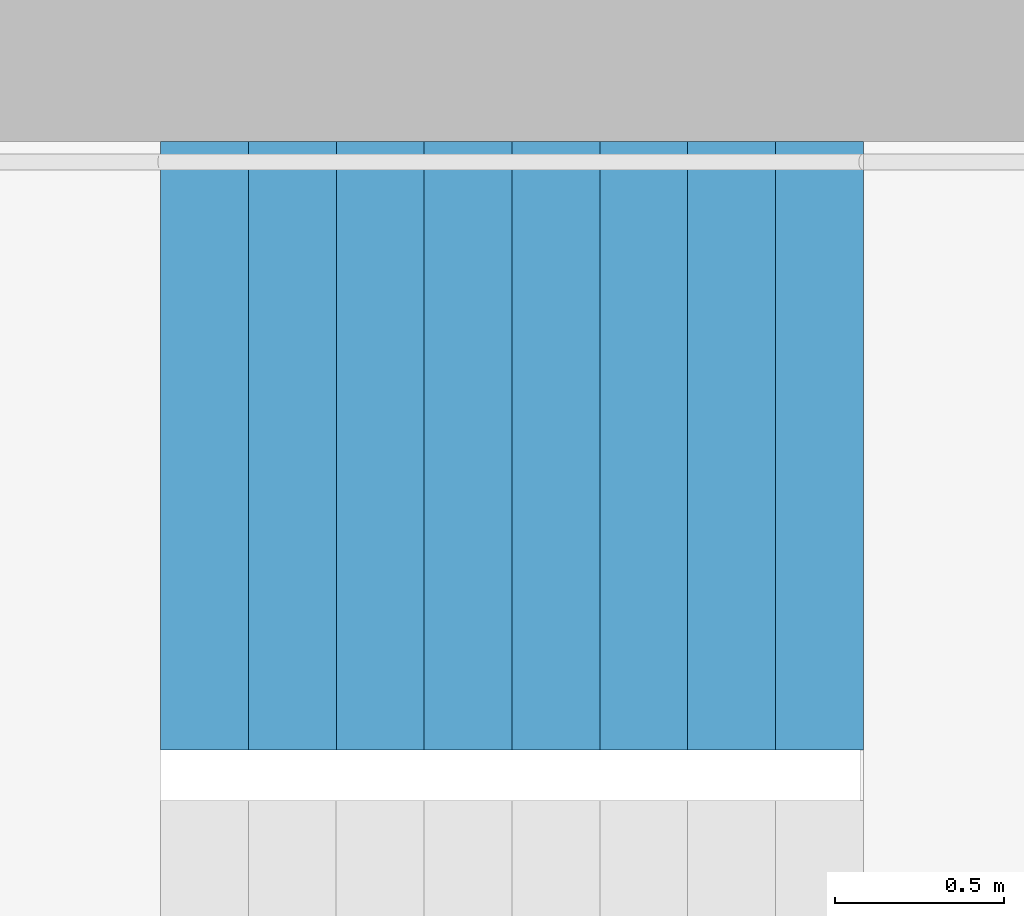
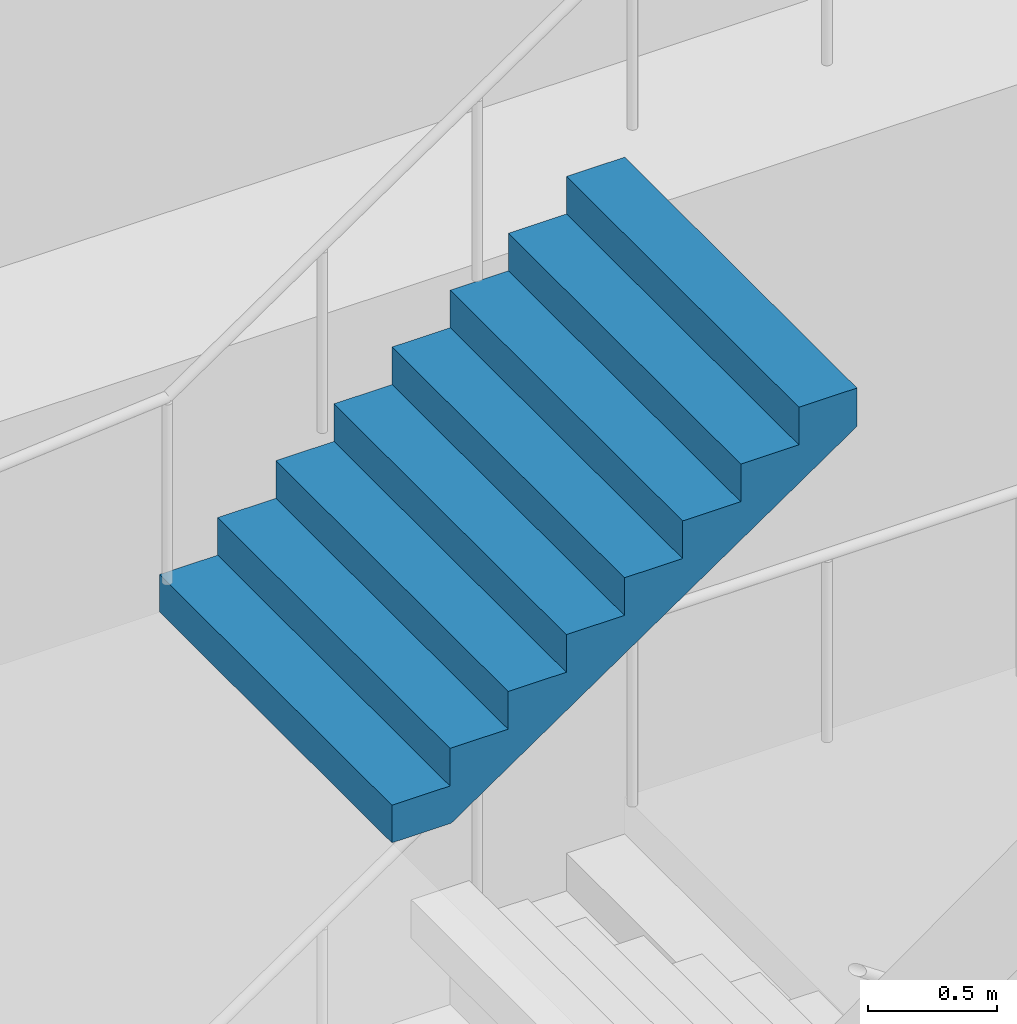
# One storey, part 31 of 42: 1 stair flight, 1 element without a shape of its own.
"""IFC4 building model written with IfcOpenShell, lengths in metres."""

from ifc_helpers import new_model, si_unit, direction, frame, origin, place, context, subcontext, project, spatial, triangles, material, type_object, element, aggregate, save


model = new_model("IFC4")

# Units and contexts
model_context = context("Model", 3, precision=1e-05, world=origin(), true_north=direction((0.0, 1.0)))
body_context = subcontext(model_context, "Body", "Model", "MODEL_VIEW")
ifc_project = project(units=[si_unit("LENGTHUNIT", "METRE"), si_unit("AREAUNIT", "SQUARE_METRE"), si_unit("VOLUMEUNIT", "CUBIC_METRE"), si_unit("PLANEANGLEUNIT", "RADIAN"), si_unit("MASSUNIT", "GRAM", prefix="KILO")], contexts=[model_context])

# Site, building, storey
site_placement = place(None, origin())
site = spatial("IfcSite", under=ifc_project, at=site_placement, CompositionType="ELEMENT")
building_placement = place(site_placement, origin())
building = spatial("IfcBuilding", under=site, at=building_placement, Name="Hakoniwa Tower and Hamabe Station Hall", CompositionType="ELEMENT")
storey_placement = place(building_placement, frame((0.0, 0.0, 232.60009765625)))
storey = spatial("IfcBuildingStorey", under=building, at=storey_placement, Name="L66", CompositionType="ELEMENT", Elevation=232.60009765625)

# Stair, stair flight
ifc_material_1 = material(Name="Concrete C40", Category="concrete")
stair_type = type_object("IfcStairType", Name="ESCAPE STAIR 1800", PredefinedType="HALF_TURN_STAIR", material=ifc_material_1)
stair_placement = place(storey_placement, origin())
stair = element("IfcStair", 1, at=stair_placement, inside=storey, type_object=stair_type, Name="Escape stair ST-3 L66", PredefinedType="HALF_TURN_STAIR")
ifc_material_2 = material(Name="Concrete C40", Category="concrete")
stair_flight_type = type_object("IfcStairFlightType", Name="STAIR FLIGHT 1800", PredefinedType="STRAIGHT", material=ifc_material_2)
stair_flight_placement = place(storey_placement, frame((22.320068359375, 6.60009765625, 4.7998046875), z_axis=(0.0, 0.0, 1.0), x_axis=(1.0, 0.0, 0.0)))
stair_flight = element("IfcStairFlight", 2, at=stair_flight_placement, type_object=stair_flight_type, Name="ST-3 flight 4", NumberOfRisers=9, NumberOfTreads=8, PredefinedType="STRAIGHT", RiserHeight=0.177777778, TreadLength=0.26, context=body_context, shape_type="Tessellation", body=[
    triangles([(0.0, 0.89990234375, 0.0), (0.260009765625, 0.89990234375, 0.0), (0.265625, 0.89990234375, 0.0), (0.52001953125, 0.89990234375, 0.174072265625), (0.780029296875, 0.89990234375, 0.351806640625), (1.0400390625, 0.89990234375, 0.529541015625), (1.300048828125, 0.89990234375, 0.707275390625), (1.56005859375, 0.89990234375, 0.885009765625), (1.820068359375, 0.89990234375, 1.062744140625), (2.080078125, 0.89990234375, 1.24072265625), (2.080078125, 0.89990234375, 1.422119140625), (1.820068359375, 0.89990234375, 1.422119140625), (1.820068359375, 0.89990234375, 1.244384765625), (1.56005859375, 0.89990234375, 1.244384765625), (1.56005859375, 0.89990234375, 1.066650390625), (1.300048828125, 0.89990234375, 1.066650390625), (1.300048828125, 0.89990234375, 0.888916015625), (1.0400390625, 0.89990234375, 0.888916015625), (1.0400390625, 0.89990234375, 0.711181640625), (0.780029296875, 0.89990234375, 0.711181640625), (0.780029296875, 0.89990234375, 0.533447265625), (0.52001953125, 0.89990234375, 0.533447265625), (0.52001953125, 0.89990234375, 0.35546875), (0.265625, 0.89990234375, 0.35546875), (0.260009765625, 0.89990234375, 0.35546875), (0.260009765625, 0.89990234375, 0.177734375), (0.0, 0.89990234375, 0.177734375), (0.0, 0.06005859375, 0.0), (0.260009765625, 0.06005859375, 0.0), (0.265625, 0.06005859375, 0.0), (0.52001953125, 0.06005859375, 0.174072265625), (0.780029296875, 0.06005859375, 0.351806640625), (1.0400390625, 0.06005859375, 0.529541015625), (1.300048828125, 0.06005859375, 0.707275390625), (1.56005859375, 0.06005859375, 0.885009765625), (1.820068359375, 0.06005859375, 1.062744140625), (2.080078125, 0.06005859375, 1.24072265625), (2.080078125, 0.06005859375, 1.422119140625), (1.820068359375, 0.06005859375, 1.422119140625), (1.820068359375, 0.06005859375, 1.244384765625), (1.56005859375, 0.06005859375, 1.244384765625), (1.56005859375, 0.06005859375, 1.066650390625), (1.300048828125, 0.06005859375, 1.066650390625), (1.300048828125, 0.06005859375, 0.888916015625), (1.0400390625, 0.06005859375, 0.888916015625), (1.0400390625, 0.06005859375, 0.711181640625), (0.780029296875, 0.06005859375, 0.711181640625), (0.780029296875, 0.06005859375, 0.533447265625), (0.52001953125, 0.06005859375, 0.533447265625), (0.52001953125, 0.06005859375, 0.35546875), (0.265625, 0.06005859375, 0.35546875), (0.260009765625, 0.06005859375, 0.35546875), (0.260009765625, 0.06005859375, 0.177734375), (0.0, 0.06005859375, 0.177734375), (0.0, 0.04296875, 0.0), (0.260009765625, 0.04296875, 0.0), (0.265625, 0.04296875, 0.0), (0.52001953125, 0.04296875, 0.174072265625), (0.780029296875, 0.04296875, 0.351806640625), (1.0400390625, 0.04296875, 0.529541015625), (1.300048828125, 0.04296875, 0.707275390625), (1.56005859375, 0.04296875, 0.885009765625), (1.820068359375, 0.04296875, 1.062744140625), (2.080078125, 0.04296875, 1.24072265625), (2.080078125, 0.04296875, 1.422119140625), (1.820068359375, 0.04296875, 1.422119140625), (1.820068359375, 0.04296875, 1.244384765625), (1.56005859375, 0.04296875, 1.244384765625), (1.56005859375, 0.04296875, 1.066650390625), (1.300048828125, 0.04296875, 1.066650390625), (1.300048828125, 0.04296875, 0.888916015625), (1.0400390625, 0.04296875, 0.888916015625), (1.0400390625, 0.04296875, 0.711181640625), (0.780029296875, 0.04296875, 0.711181640625), (0.780029296875, 0.04296875, 0.533447265625), (0.52001953125, 0.04296875, 0.533447265625), (0.52001953125, 0.04296875, 0.35546875), (0.265625, 0.04296875, 0.35546875), (0.260009765625, 0.04296875, 0.35546875), (0.260009765625, 0.04296875, 0.177734375), (0.0, 0.04296875, 0.177734375), (0.0, 0.025634765625, 0.0), (0.260009765625, 0.025634765625, 0.0), (0.265625, 0.025634765625, 0.0), (0.52001953125, 0.025634765625, 0.174072265625), (0.780029296875, 0.025634765625, 0.351806640625), (1.0400390625, 0.025634765625, 0.529541015625), (1.300048828125, 0.025634765625, 0.707275390625), (1.56005859375, 0.025634765625, 0.885009765625), (1.820068359375, 0.025634765625, 1.062744140625), (2.080078125, 0.025634765625, 1.24072265625), (2.080078125, 0.025634765625, 1.422119140625), (1.820068359375, 0.025634765625, 1.422119140625), (1.820068359375, 0.025634765625, 1.244384765625), (1.56005859375, 0.025634765625, 1.244384765625), (1.56005859375, 0.025634765625, 1.066650390625), (1.300048828125, 0.025634765625, 1.066650390625), (1.300048828125, 0.025634765625, 0.888916015625), (1.0400390625, 0.025634765625, 0.888916015625), (1.0400390625, 0.025634765625, 0.711181640625), (0.780029296875, 0.025634765625, 0.711181640625), (0.780029296875, 0.025634765625, 0.533447265625), (0.52001953125, 0.025634765625, 0.533447265625), (0.52001953125, 0.025634765625, 0.35546875), (0.265625, 0.025634765625, 0.35546875), (0.260009765625, 0.025634765625, 0.35546875), (0.260009765625, 0.025634765625, 0.177734375), (0.0, 0.025634765625, 0.177734375), (0.0, 0.008544921875, 0.0), (0.260009765625, 0.008544921875, 0.0), (0.265625, 0.008544921875, 0.0), (0.52001953125, 0.008544921875, 0.174072265625), (0.780029296875, 0.008544921875, 0.351806640625), (1.0400390625, 0.008544921875, 0.529541015625), (1.300048828125, 0.008544921875, 0.707275390625), (1.56005859375, 0.008544921875, 0.885009765625), (1.820068359375, 0.008544921875, 1.062744140625), (2.080078125, 0.008544921875, 1.24072265625), (2.080078125, 0.008544921875, 1.422119140625), (1.820068359375, 0.008544921875, 1.422119140625), (1.820068359375, 0.008544921875, 1.244384765625), (1.56005859375, 0.008544921875, 1.244384765625), (1.56005859375, 0.008544921875, 1.066650390625), (1.300048828125, 0.008544921875, 1.066650390625), (1.300048828125, 0.008544921875, 0.888916015625), (1.0400390625, 0.008544921875, 0.888916015625), (1.0400390625, 0.008544921875, 0.711181640625), (0.780029296875, 0.008544921875, 0.711181640625), (0.780029296875, 0.008544921875, 0.533447265625), (0.52001953125, 0.008544921875, 0.533447265625), (0.52001953125, 0.008544921875, 0.35546875), (0.265625, 0.008544921875, 0.35546875), (0.260009765625, 0.008544921875, 0.35546875), (0.260009765625, 0.008544921875, 0.177734375), (0.0, 0.008544921875, 0.177734375), (0.0, -0.008544921875, 0.0), (0.260009765625, -0.008544921875, 0.0), (0.265625, -0.008544921875, 0.0), (0.52001953125, -0.008544921875, 0.174072265625), (0.780029296875, -0.008544921875, 0.351806640625), (1.0400390625, -0.008544921875, 0.529541015625), (1.300048828125, -0.008544921875, 0.707275390625), (1.56005859375, -0.008544921875, 0.885009765625), (1.820068359375, -0.008544921875, 1.062744140625), (2.080078125, -0.008544921875, 1.24072265625), (2.080078125, -0.008544921875, 1.422119140625), (1.820068359375, -0.008544921875, 1.422119140625), (1.820068359375, -0.008544921875, 1.244384765625), (1.56005859375, -0.008544921875, 1.244384765625), (1.56005859375, -0.008544921875, 1.066650390625), (1.300048828125, -0.008544921875, 1.066650390625), (1.300048828125, -0.008544921875, 0.888916015625), (1.0400390625, -0.008544921875, 0.888916015625), (1.0400390625, -0.008544921875, 0.711181640625), (0.780029296875, -0.008544921875, 0.711181640625), (0.780029296875, -0.008544921875, 0.533447265625), (0.52001953125, -0.008544921875, 0.533447265625), (0.52001953125, -0.008544921875, 0.35546875), (0.265625, -0.008544921875, 0.35546875), (0.260009765625, -0.008544921875, 0.35546875), (0.260009765625, -0.008544921875, 0.177734375), (0.0, -0.008544921875, 0.177734375), (0.0, -0.025634765625, 0.0), (0.260009765625, -0.025634765625, 0.0), (0.265625, -0.025634765625, 0.0), (0.52001953125, -0.025634765625, 0.174072265625), (0.780029296875, -0.025634765625, 0.351806640625), (1.0400390625, -0.025634765625, 0.529541015625), (1.300048828125, -0.025634765625, 0.707275390625), (1.56005859375, -0.025634765625, 0.885009765625), (1.820068359375, -0.025634765625, 1.062744140625), (2.080078125, -0.025634765625, 1.24072265625), (2.080078125, -0.025634765625, 1.422119140625), (1.820068359375, -0.025634765625, 1.422119140625), (1.820068359375, -0.025634765625, 1.244384765625), (1.56005859375, -0.025634765625, 1.244384765625), (1.56005859375, -0.025634765625, 1.066650390625), (1.300048828125, -0.025634765625, 1.066650390625), (1.300048828125, -0.025634765625, 0.888916015625), (1.0400390625, -0.025634765625, 0.888916015625), (1.0400390625, -0.025634765625, 0.711181640625), (0.780029296875, -0.025634765625, 0.711181640625), (0.780029296875, -0.025634765625, 0.533447265625), (0.52001953125, -0.025634765625, 0.533447265625), (0.52001953125, -0.025634765625, 0.35546875), (0.265625, -0.025634765625, 0.35546875), (0.260009765625, -0.025634765625, 0.35546875), (0.260009765625, -0.025634765625, 0.177734375), (0.0, -0.025634765625, 0.177734375), (0.0, -0.04296875, 0.0), (0.260009765625, -0.04296875, 0.0), (0.265625, -0.04296875, 0.0), (0.52001953125, -0.04296875, 0.174072265625), (0.780029296875, -0.04296875, 0.351806640625), (1.0400390625, -0.04296875, 0.529541015625), (1.300048828125, -0.04296875, 0.707275390625), (1.56005859375, -0.04296875, 0.885009765625), (1.820068359375, -0.04296875, 1.062744140625), (2.080078125, -0.04296875, 1.24072265625), (2.080078125, -0.04296875, 1.422119140625), (1.820068359375, -0.04296875, 1.422119140625), (1.820068359375, -0.04296875, 1.244384765625), (1.56005859375, -0.04296875, 1.244384765625), (1.56005859375, -0.04296875, 1.066650390625), (1.300048828125, -0.04296875, 1.066650390625), (1.300048828125, -0.04296875, 0.888916015625), (1.0400390625, -0.04296875, 0.888916015625), (1.0400390625, -0.04296875, 0.711181640625), (0.780029296875, -0.04296875, 0.711181640625), (0.780029296875, -0.04296875, 0.533447265625), (0.52001953125, -0.04296875, 0.533447265625), (0.52001953125, -0.04296875, 0.35546875), (0.265625, -0.04296875, 0.35546875), (0.260009765625, -0.04296875, 0.35546875), (0.260009765625, -0.04296875, 0.177734375), (0.0, -0.04296875, 0.177734375), (0.0, -0.06005859375, 0.0), (0.260009765625, -0.06005859375, 0.0), (0.265625, -0.06005859375, 0.0), (0.52001953125, -0.06005859375, 0.174072265625), (0.780029296875, -0.06005859375, 0.351806640625), (1.0400390625, -0.06005859375, 0.529541015625), (1.300048828125, -0.06005859375, 0.707275390625), (1.56005859375, -0.06005859375, 0.885009765625), (1.820068359375, -0.06005859375, 1.062744140625), (2.080078125, -0.06005859375, 1.24072265625), (2.080078125, -0.06005859375, 1.422119140625), (1.820068359375, -0.06005859375, 1.422119140625), (1.820068359375, -0.06005859375, 1.244384765625), (1.56005859375, -0.06005859375, 1.244384765625), (1.56005859375, -0.06005859375, 1.066650390625), (1.300048828125, -0.06005859375, 1.066650390625), (1.300048828125, -0.06005859375, 0.888916015625), (1.0400390625, -0.06005859375, 0.888916015625), (1.0400390625, -0.06005859375, 0.711181640625), (0.780029296875, -0.06005859375, 0.711181640625), (0.780029296875, -0.06005859375, 0.533447265625), (0.52001953125, -0.06005859375, 0.533447265625), (0.52001953125, -0.06005859375, 0.35546875), (0.265625, -0.06005859375, 0.35546875), (0.260009765625, -0.06005859375, 0.35546875), (0.260009765625, -0.06005859375, 0.177734375), (0.0, -0.06005859375, 0.177734375), (0.0, -0.89990234375, 0.0), (0.260009765625, -0.89990234375, 0.0), (0.265625, -0.89990234375, 0.0), (0.52001953125, -0.89990234375, 0.174072265625), (0.780029296875, -0.89990234375, 0.351806640625), (1.0400390625, -0.89990234375, 0.529541015625), (1.300048828125, -0.89990234375, 0.707275390625), (1.56005859375, -0.89990234375, 0.885009765625), (1.820068359375, -0.89990234375, 1.062744140625), (2.080078125, -0.89990234375, 1.24072265625), (2.080078125, -0.89990234375, 1.422119140625), (1.820068359375, -0.89990234375, 1.422119140625), (1.820068359375, -0.89990234375, 1.244384765625), (1.56005859375, -0.89990234375, 1.244384765625), (1.56005859375, -0.89990234375, 1.066650390625), (1.300048828125, -0.89990234375, 1.066650390625), (1.300048828125, -0.89990234375, 0.888916015625), (1.0400390625, -0.89990234375, 0.888916015625), (1.0400390625, -0.89990234375, 0.711181640625), (0.780029296875, -0.89990234375, 0.711181640625), (0.780029296875, -0.89990234375, 0.533447265625), (0.52001953125, -0.89990234375, 0.533447265625), (0.52001953125, -0.89990234375, 0.35546875), (0.265625, -0.89990234375, 0.35546875), (0.260009765625, -0.89990234375, 0.35546875), (0.260009765625, -0.89990234375, 0.177734375), (0.0, -0.89990234375, 0.177734375)], [[2, 27, 26], [245, 269, 270], [2, 1, 27], [245, 270, 244], [3, 25, 24], [246, 267, 268], [3, 26, 25], [246, 268, 269], [3, 2, 26], [246, 269, 245], [4, 24, 23], [247, 266, 267], [4, 3, 24], [247, 267, 246], [5, 22, 21], [248, 264, 265], [5, 23, 22], [248, 265, 266], [5, 4, 23], [248, 266, 247], [6, 20, 19], [249, 262, 263], [6, 21, 20], [249, 263, 264], [6, 5, 21], [249, 264, 248], [7, 18, 17], [250, 260, 261], [7, 19, 18], [250, 261, 262], [7, 6, 19], [250, 262, 249], [8, 16, 15], [251, 258, 259], [8, 17, 16], [251, 259, 260], [8, 7, 17], [251, 260, 250], [9, 14, 13], [252, 256, 257], [9, 15, 14], [252, 257, 258], [9, 8, 15], [252, 258, 251], [10, 12, 11], [253, 254, 255], [10, 13, 12], [253, 255, 256], [10, 9, 13], [253, 256, 252], [1, 2, 29], [1, 29, 28], [28, 29, 56], [28, 56, 55], [55, 56, 83], [55, 83, 82], [82, 83, 110], [82, 110, 109], [109, 110, 137], [109, 137, 136], [136, 137, 164], [136, 164, 163], [163, 164, 191], [163, 191, 190], [190, 191, 218], [190, 218, 217], [217, 218, 245], [217, 245, 244], [2, 3, 30], [2, 30, 29], [29, 30, 57], [29, 57, 56], [56, 57, 84], [56, 84, 83], [83, 84, 111], [83, 111, 110], [110, 111, 138], [110, 138, 137], [137, 138, 165], [137, 165, 164], [164, 165, 192], [164, 192, 191], [191, 192, 219], [191, 219, 218], [218, 219, 246], [218, 246, 245], [3, 4, 31], [3, 31, 30], [30, 31, 58], [30, 58, 57], [57, 58, 85], [57, 85, 84], [84, 85, 112], [84, 112, 111], [111, 112, 139], [111, 139, 138], [138, 139, 166], [138, 166, 165], [165, 166, 193], [165, 193, 192], [192, 193, 220], [192, 220, 219], [219, 220, 247], [219, 247, 246], [4, 5, 32], [4, 32, 31], [31, 32, 59], [31, 59, 58], [58, 59, 86], [58, 86, 85], [85, 86, 113], [85, 113, 112], [112, 113, 140], [112, 140, 139], [139, 140, 167], [139, 167, 166], [166, 167, 194], [166, 194, 193], [193, 194, 221], [193, 221, 220], [220, 221, 248], [220, 248, 247], [5, 6, 33], [5, 33, 32], [32, 33, 60], [32, 60, 59], [59, 60, 87], [59, 87, 86], [86, 87, 114], [86, 114, 113], [113, 114, 141], [113, 141, 140], [140, 141, 168], [140, 168, 167], [167, 168, 195], [167, 195, 194], [194, 195, 222], [194, 222, 221], [221, 222, 249], [221, 249, 248], [6, 7, 34], [6, 34, 33], [33, 34, 61], [33, 61, 60], [60, 61, 88], [60, 88, 87], [87, 88, 115], [87, 115, 114], [114, 115, 142], [114, 142, 141], [141, 142, 169], [141, 169, 168], [168, 169, 196], [168, 196, 195], [195, 196, 223], [195, 223, 222], [222, 223, 250], [222, 250, 249], [7, 8, 35], [7, 35, 34], [34, 35, 62], [34, 62, 61], [61, 62, 89], [61, 89, 88], [88, 89, 116], [88, 116, 115], [115, 116, 143], [115, 143, 142], [142, 143, 170], [142, 170, 169], [169, 170, 197], [169, 197, 196], [196, 197, 224], [196, 224, 223], [223, 224, 251], [223, 251, 250], [8, 9, 36], [8, 36, 35], [35, 36, 63], [35, 63, 62], [62, 63, 90], [62, 90, 89], [89, 90, 117], [89, 117, 116], [116, 117, 144], [116, 144, 143], [143, 144, 171], [143, 171, 170], [170, 171, 198], [170, 198, 197], [197, 198, 225], [197, 225, 224], [224, 225, 252], [224, 252, 251], [9, 10, 37], [9, 37, 36], [36, 37, 64], [36, 64, 63], [63, 64, 91], [63, 91, 90], [90, 91, 118], [90, 118, 117], [117, 118, 145], [117, 145, 144], [144, 145, 172], [144, 172, 171], [171, 172, 199], [171, 199, 198], [198, 199, 226], [198, 226, 225], [225, 226, 253], [225, 253, 252], [10, 11, 38], [10, 38, 37], [37, 38, 65], [37, 65, 64], [64, 65, 92], [64, 92, 91], [91, 92, 119], [91, 119, 118], [118, 119, 146], [118, 146, 145], [145, 146, 173], [145, 173, 172], [172, 173, 200], [172, 200, 199], [199, 200, 227], [199, 227, 226], [226, 227, 254], [226, 254, 253], [11, 12, 39], [11, 39, 38], [38, 39, 66], [38, 66, 65], [65, 66, 93], [65, 93, 92], [92, 93, 120], [92, 120, 119], [119, 120, 147], [119, 147, 146], [146, 147, 174], [146, 174, 173], [173, 174, 201], [173, 201, 200], [200, 201, 228], [200, 228, 227], [227, 228, 255], [227, 255, 254], [12, 13, 40], [12, 40, 39], [39, 40, 67], [39, 67, 66], [66, 67, 94], [66, 94, 93], [93, 94, 121], [93, 121, 120], [120, 121, 148], [120, 148, 147], [147, 148, 175], [147, 175, 174], [174, 175, 202], [174, 202, 201], [201, 202, 229], [201, 229, 228], [228, 229, 256], [228, 256, 255], [13, 14, 41], [13, 41, 40], [40, 41, 68], [40, 68, 67], [67, 68, 95], [67, 95, 94], [94, 95, 122], [94, 122, 121], [121, 122, 149], [121, 149, 148], [148, 149, 176], [148, 176, 175], [175, 176, 203], [175, 203, 202], [202, 203, 230], [202, 230, 229], [229, 230, 257], [229, 257, 256], [14, 15, 42], [14, 42, 41], [41, 42, 69], [41, 69, 68], [68, 69, 96], [68, 96, 95], [95, 96, 123], [95, 123, 122], [122, 123, 150], [122, 150, 149], [149, 150, 177], [149, 177, 176], [176, 177, 204], [176, 204, 203], [203, 204, 231], [203, 231, 230], [230, 231, 258], [230, 258, 257], [15, 16, 43], [15, 43, 42], [42, 43, 70], [42, 70, 69], [69, 70, 97], [69, 97, 96], [96, 97, 124], [96, 124, 123], [123, 124, 151], [123, 151, 150], [150, 151, 178], [150, 178, 177], [177, 178, 205], [177, 205, 204], [204, 205, 232], [204, 232, 231], [231, 232, 259], [231, 259, 258], [16, 17, 44], [16, 44, 43], [43, 44, 71], [43, 71, 70], [70, 71, 98], [70, 98, 97], [97, 98, 125], [97, 125, 124], [124, 125, 152], [124, 152, 151], [151, 152, 179], [151, 179, 178], [178, 179, 206], [178, 206, 205], [205, 206, 233], [205, 233, 232], [232, 233, 260], [232, 260, 259], [17, 18, 45], [17, 45, 44], [44, 45, 72], [44, 72, 71], [71, 72, 99], [71, 99, 98], [98, 99, 126], [98, 126, 125], [125, 126, 153], [125, 153, 152], [152, 153, 180], [152, 180, 179], [179, 180, 207], [179, 207, 206], [206, 207, 234], [206, 234, 233], [233, 234, 261], [233, 261, 260], [18, 19, 46], [18, 46, 45], [45, 46, 73], [45, 73, 72], [72, 73, 100], [72, 100, 99], [99, 100, 127], [99, 127, 126], [126, 127, 154], [126, 154, 153], [153, 154, 181], [153, 181, 180], [180, 181, 208], [180, 208, 207], [207, 208, 235], [207, 235, 234], [234, 235, 262], [234, 262, 261], [19, 20, 47], [19, 47, 46], [46, 47, 74], [46, 74, 73], [73, 74, 101], [73, 101, 100], [100, 101, 128], [100, 128, 127], [127, 128, 155], [127, 155, 154], [154, 155, 182], [154, 182, 181], [181, 182, 209], [181, 209, 208], [208, 209, 236], [208, 236, 235], [235, 236, 263], [235, 263, 262], [20, 21, 48], [20, 48, 47], [47, 48, 75], [47, 75, 74], [74, 75, 102], [74, 102, 101], [101, 102, 129], [101, 129, 128], [128, 129, 156], [128, 156, 155], [155, 156, 183], [155, 183, 182], [182, 183, 210], [182, 210, 209], [209, 210, 237], [209, 237, 236], [236, 237, 264], [236, 264, 263], [21, 22, 49], [21, 49, 48], [48, 49, 76], [48, 76, 75], [75, 76, 103], [75, 103, 102], [102, 103, 130], [102, 130, 129], [129, 130, 157], [129, 157, 156], [156, 157, 184], [156, 184, 183], [183, 184, 211], [183, 211, 210], [210, 211, 238], [210, 238, 237], [237, 238, 265], [237, 265, 264], [22, 23, 50], [22, 50, 49], [49, 50, 77], [49, 77, 76], [76, 77, 104], [76, 104, 103], [103, 104, 131], [103, 131, 130], [130, 131, 158], [130, 158, 157], [157, 158, 185], [157, 185, 184], [184, 185, 212], [184, 212, 211], [211, 212, 239], [211, 239, 238], [238, 239, 266], [238, 266, 265], [23, 24, 51], [23, 51, 50], [50, 51, 78], [50, 78, 77], [77, 78, 105], [77, 105, 104], [104, 105, 132], [104, 132, 131], [131, 132, 159], [131, 159, 158], [158, 159, 186], [158, 186, 185], [185, 186, 213], [185, 213, 212], [212, 213, 240], [212, 240, 239], [239, 240, 267], [239, 267, 266], [24, 25, 52], [24, 52, 51], [51, 52, 79], [51, 79, 78], [78, 79, 106], [78, 106, 105], [105, 106, 133], [105, 133, 132], [132, 133, 160], [132, 160, 159], [159, 160, 187], [159, 187, 186], [186, 187, 214], [186, 214, 213], [213, 214, 241], [213, 241, 240], [240, 241, 268], [240, 268, 267], [25, 26, 53], [25, 53, 52], [52, 53, 80], [52, 80, 79], [79, 80, 107], [79, 107, 106], [106, 107, 134], [106, 134, 133], [133, 134, 161], [133, 161, 160], [160, 161, 188], [160, 188, 187], [187, 188, 215], [187, 215, 214], [214, 215, 242], [214, 242, 241], [241, 242, 269], [241, 269, 268], [26, 27, 54], [26, 54, 53], [53, 54, 81], [53, 81, 80], [80, 81, 108], [80, 108, 107], [107, 108, 135], [107, 135, 134], [134, 135, 162], [134, 162, 161], [161, 162, 189], [161, 189, 188], [188, 189, 216], [188, 216, 215], [215, 216, 243], [215, 243, 242], [242, 243, 270], [242, 270, 269], [27, 1, 28], [27, 28, 54], [54, 28, 55], [54, 55, 81], [81, 55, 82], [81, 82, 108], [108, 82, 109], [108, 109, 135], [135, 109, 136], [135, 136, 162], [162, 136, 163], [162, 163, 189], [189, 163, 190], [189, 190, 216], [216, 190, 217], [216, 217, 243], [243, 217, 244], [243, 244, 270]], closed=True),
])
aggregate(stair, [stair_flight])

save(model, "model.ifc")
